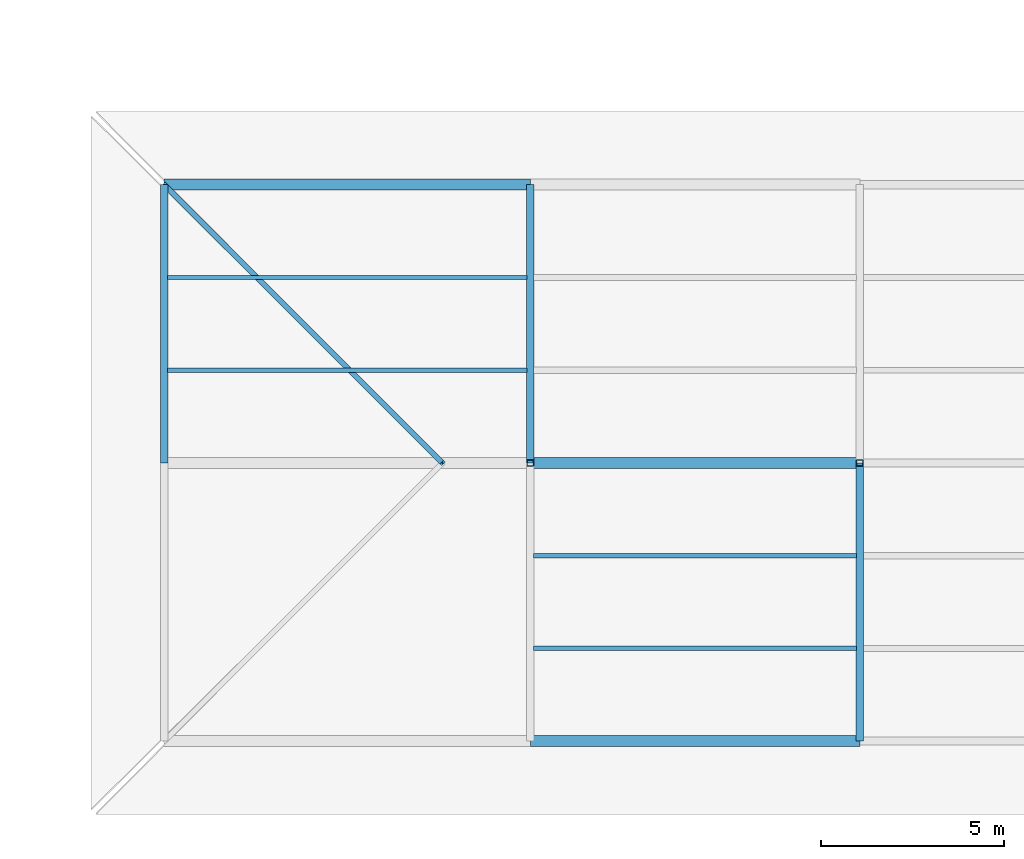
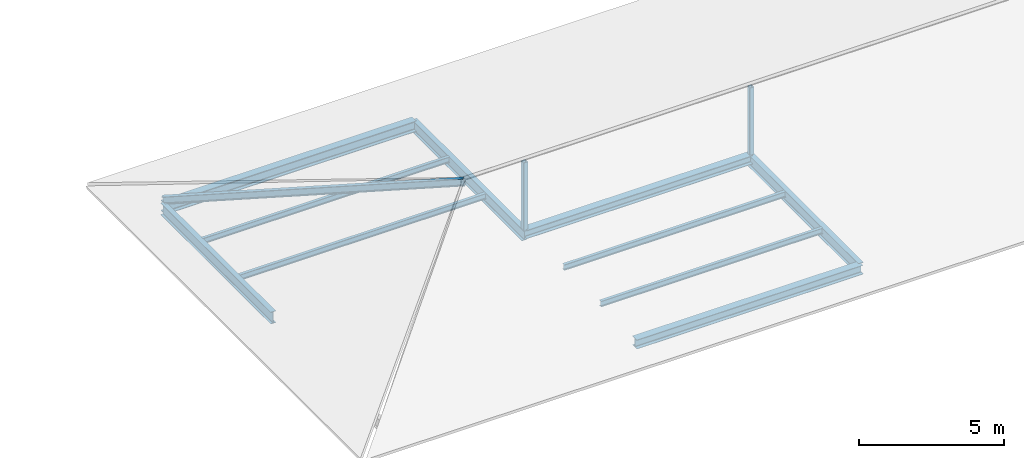
# One storey, part 54 of 120: 10 beams, 3 members.
"""IFC4 building model written with IfcOpenShell, lengths in metres."""

from ifc_helpers import new_model, si_unit, direction, frame, origin, origin_2d, place, context, subcontext, project, spatial, hollow_rectangle, i_section, extrude, material, material_profile, profile_set, type_object, element, save


model = new_model("IFC4")

# Units and contexts
model_context = context("Model", 3, precision=1e-05, world=origin(), true_north=direction((0.0, 1.0)))
body_context = subcontext(model_context, "Body", "Model", "MODEL_VIEW")
ifc_project = project(units=[si_unit("LENGTHUNIT", "METRE"), si_unit("AREAUNIT", "SQUARE_METRE"), si_unit("VOLUMEUNIT", "CUBIC_METRE"), si_unit("PLANEANGLEUNIT", "RADIAN"), si_unit("MASSUNIT", "GRAM", prefix="KILO")], contexts=[model_context])

# Site, building, storey
site_placement = place(None, origin())
site = spatial("IfcSite", under=ifc_project, at=site_placement, CompositionType="ELEMENT")
building_placement = place(site_placement, origin())
building = spatial("IfcBuilding", under=site, at=building_placement, Name="Vekula Escarpment Museum", CompositionType="ELEMENT")
storey_placement = place(building_placement, frame((0.0, 0.0, 13.199951171875)))
storey = spatial("IfcBuildingStorey", under=building, at=storey_placement, Name="L03", CompositionType="ELEMENT", Elevation=13.199951171875)

# Beams
ifc_material_1 = material(Name="Steel S355", Category="steel")
ifc_material_profile_1 = material_profile(ifc_material_1, i_section(OverallWidth=0.300048828125, OverallDepth=0.360107421875, WebThickness=0.012451171875, FlangeThickness=0.0224609375, FilletRadius=0.027099609375, at=origin_2d()), Name="HEB 360")
ifc_profile_set_1 = profile_set([ifc_material_profile_1], Name="Steel S355")
beam_type_1 = type_object("IfcBeamType", Name="BM-GIRD-HEB360", PredefinedType="BEAM", material=ifc_profile_set_1)
beam_1_placement = place(storey_placement, frame((146.0, 7.60009765625, -0.429931640625), z_axis=(1.0, 0.0, 0.0), x_axis=(0.0, 1.0, 0.0)))
element("IfcBeam", 1, at=beam_1_placement, inside=storey, type_object=beam_type_1, Name="Beam X L03 1289", PredefinedType="BEAM", context=body_context, shape_type="SweptSolid", body=[
    extrude(i_section(OverallWidth=0.300048828125, OverallDepth=0.360107421875, WebThickness=0.012451171875, FlangeThickness=0.0224609375, FilletRadius=0.027099609375, at=origin_2d()), origin(), (0.0, 0.0, 1.0), 9.0),
])
ifc_material_2 = material(Name="Steel S355", Category="steel")
ifc_material_profile_2 = material_profile(ifc_material_2, i_section(OverallWidth=0.300048828125, OverallDepth=0.449951171875, WebThickness=0.013916015625, FlangeThickness=0.02587890625, FilletRadius=0.027099609375, at=origin_2d()), Name="HEB 450")
ifc_profile_set_2 = profile_set([ifc_material_profile_2], Name="Steel S355")
beam_type_2 = type_object("IfcBeamType", Name="BM-GIRD-HEB450", PredefinedType="BEAM", material=ifc_profile_set_2)
beam_2_placement = place(storey_placement, frame((136.0, 15.199951171875, -0.474853515625), z_axis=(1.0, 0.0, 0.0), x_axis=(0.0, 1.0, 0.0)))
element("IfcBeam", 2, at=beam_2_placement, inside=storey, type_object=beam_type_2, Name="Beam X L03 1301", PredefinedType="BEAM", context=body_context, shape_type="SweptSolid", body=[
    extrude(i_section(OverallWidth=0.300048828125, OverallDepth=0.449951171875, WebThickness=0.013916015625, FlangeThickness=0.02587890625, FilletRadius=0.027099609375, at=origin_2d()), origin(), (0.0, 0.0, 1.0), 10.0),
])
ifc_material_3 = material(Name="Steel S355", Category="steel")
ifc_material_profile_3 = material_profile(ifc_material_3, i_section(OverallWidth=0.199951171875, OverallDepth=0.5, WebThickness=0.01025390625, FlangeThickness=0.01611328125, FilletRadius=0.02099609375, at=origin_2d()), Name="IPE 500")
ifc_profile_set_3 = profile_set([ifc_material_profile_3], Name="Steel S355")
beam_type_3 = type_object("IfcBeamType", Name="BM-GIRD-IPE500", PredefinedType="BEAM", material=ifc_profile_set_3)
for number, where, z_axis, x_axis, name in (
    (3, (136.0, 7.60009765625, -0.5), (0.0, 1.0, 0.0), (-1.0, 0.0, 0.0), "Beam Y L03 1632"),
    (4, (146.0, 7.60009765625, -0.5), (0.0, 1.0, 0.0), (-1.0, 0.0, 0.0), "Beam Y L03 1635"),
):
    element("IfcBeam", number, at=place(storey_placement, frame(where, z_axis=z_axis, x_axis=x_axis)), inside=storey, type_object=beam_type_3, Name=name, PredefinedType="BEAM", context=body_context, shape_type="SweptSolid", body=[
        extrude(i_section(OverallWidth=0.199951171875, OverallDepth=0.5, WebThickness=0.01025390625, FlangeThickness=0.01611328125, FilletRadius=0.02099609375, at=origin_2d()), origin(), (0.0, 0.0, 1.0), 7.599853515625),
    ])
beam_3_placement = place(storey_placement, frame((155.0, 0.0, -0.5), z_axis=(0.0, 1.0, 0.0), x_axis=(-1.0, 0.0, 0.0)))
element("IfcBeam", 5, at=beam_3_placement, inside=storey, type_object=beam_type_3, Name="Beam Y L03 1637", PredefinedType="BEAM", context=body_context, shape_type="SweptSolid", body=[
    extrude(i_section(OverallWidth=0.199951171875, OverallDepth=0.5, WebThickness=0.01025390625, FlangeThickness=0.01611328125, FilletRadius=0.02099609375, at=origin_2d()), origin(), (0.0, 0.0, 1.0), 7.60009765625),
])
ifc_material_4 = material(Name="Steel S355", Category="steel")
ifc_material_profile_4 = material_profile(ifc_material_4, i_section(OverallWidth=0.1201171875, OverallDepth=0.239990234375, WebThickness=0.006103515625, FlangeThickness=0.009765625, FilletRadius=0.014892578125, at=origin_2d()), Name="IPE 240")
ifc_profile_set_4 = profile_set([ifc_material_profile_4], Name="Steel S355")
beam_type_4 = type_object("IfcBeamType", Name="BM-JST-IPE240", PredefinedType="JOIST", material=ifc_profile_set_4)
for number, where, z_axis, x_axis, name in (
    (6, (136.090087890625, 10.13330078125, -0.369873046875), (1.0, 0.0, 0.0), (0.0, 1.0, 0.0), "Secondary Joist L03 1076"),
    (7, (136.090087890625, 12.666748046875, -0.369873046875), (1.0, 0.0, 0.0), (0.0, 1.0, 0.0), "Secondary Joist L03 1077"),
):
    element("IfcBeam", number, at=place(storey_placement, frame(where, z_axis=z_axis, x_axis=x_axis)), inside=storey, type_object=beam_type_4, Name=name, PredefinedType="JOIST", context=body_context, shape_type="SweptSolid", body=[
        extrude(i_section(OverallWidth=0.1201171875, OverallDepth=0.239990234375, WebThickness=0.006103515625, FlangeThickness=0.009765625, FilletRadius=0.014892578125, at=origin_2d()), origin(), (0.0, 0.0, 1.0), 9.81982421875),
    ])
for number, where, z_axis, x_axis, name in (
    (8, (146.090087890625, 2.533203125, -0.369873046875), (1.0, 0.0, 0.0), (0.0, 1.0, 0.0), "Secondary Joist L03 1080"),
    (9, (146.090087890625, 5.066650390625, -0.369873046875), (1.0, 0.0, 0.0), (0.0, 1.0, 0.0), "Secondary Joist L03 1081"),
):
    element("IfcBeam", number, at=place(storey_placement, frame(where, z_axis=z_axis, x_axis=x_axis)), inside=storey, type_object=beam_type_4, Name=name, PredefinedType="JOIST", context=body_context, shape_type="SweptSolid", body=[
        extrude(i_section(OverallWidth=0.1201171875, OverallDepth=0.239990234375, WebThickness=0.006103515625, FlangeThickness=0.009765625, FilletRadius=0.014892578125, at=origin_2d()), origin(), (0.0, 0.0, 1.0), 8.81982421875),
    ])
ifc_material_5 = material(Name="Steel S355", Category="steel")
ifc_material_profile_5 = material_profile(ifc_material_5, i_section(OverallWidth=0.300048828125, OverallDepth=0.389892578125, WebThickness=0.010986328125, FlangeThickness=0.01904296875, FilletRadius=0.027099609375, at=origin_2d()), Name="HEA 400")
ifc_profile_set_5 = profile_set([ifc_material_profile_5], Name="Steel S355")
beam_type_5 = type_object("IfcBeamType", Name="BM-SPAN-HEA400", PredefinedType="SPANDREL", material=ifc_profile_set_5)
beam_4_placement = place(storey_placement, frame((146.0, 0.0, -0.445068359375), z_axis=(1.0, 0.0, 0.0), x_axis=(0.0, 1.0, 0.0)))
element("IfcBeam", 10, at=beam_4_placement, inside=storey, type_object=beam_type_5, Name="Beam X L03 1277", PredefinedType="SPANDREL", context=body_context, shape_type="SweptSolid", body=[
    extrude(i_section(OverallWidth=0.300048828125, OverallDepth=0.389892578125, WebThickness=0.010986328125, FlangeThickness=0.01904296875, FilletRadius=0.027099609375, at=origin_2d()), origin(), (0.0, 0.0, 1.0), 9.0),
])

# Members
ifc_material_6 = material(Name="Steel S355", Category="steel")
ifc_material_profile_6 = material_profile(ifc_material_6, i_section(OverallWidth=0.14990234375, OverallDepth=0.300048828125, WebThickness=0.007080078125, FlangeThickness=0.0107421875, FilletRadius=0.014892578125, at=origin_2d()), Name="IPE 300")
ifc_profile_set_6 = profile_set([ifc_material_profile_6], Name="Steel S355")
member_type_1 = type_object("IfcMemberType", Name="MB-HIP-RAFTER", PredefinedType="CHORD", material=ifc_profile_set_6)
member_placement = place(storey_placement, frame((136.0, 15.199951171875, -0.14990234375), z_axis=(0.685659277486, -0.685637251811, 0.244484997754), x_axis=(0.707095423592, 0.707118138598, 0.0)))
element("IfcMember", 11, at=member_placement, inside=storey, type_object=member_type_1, Name="Entry Pavilion Hip Rafter 3", PredefinedType="CHORD", context=body_context, shape_type="SweptSolid", body=[
    extrude(i_section(OverallWidth=0.14990234375, OverallDepth=0.300048828125, WebThickness=0.007080078125, FlangeThickness=0.0107421875, FilletRadius=0.014892578125, at=origin_2d()), origin(), (0.0, 0.0, 1.0), 11.08447265625),
])
ifc_material_7 = material(Name="Steel S355", Category="steel")
ifc_material_profile_7 = material_profile(ifc_material_7, hollow_rectangle(XDim=0.179931640625, YDim=0.179931640625, WallThickness=0.010009765625, InnerFilletRadius=0.010009765625, OuterFilletRadius=0.02001953125, at=origin_2d()), Name="SHS 180x180x10")
ifc_profile_set_7 = profile_set([ifc_material_profile_7], Name="Steel S355")
member_type_2 = type_object("IfcMemberType", Name="MB-POST-SHS180", PredefinedType="STRUT", material=ifc_profile_set_7)
for number, where, z_axis, x_axis, name in (
    (12, (146.0, 7.60009765625, -0.300048828125), (0.0, 0.0, 1.0), (1.0, 0.0, 0.0), "Entry Pavilion Roof King Post 146"),
    (13, (155.0, 7.60009765625, -0.300048828125), (0.0, 0.0, 1.0), (1.0, 0.0, 0.0), "Entry Pavilion Roof King Post 155"),
):
    element("IfcMember", number, at=place(storey_placement, frame(where, z_axis=z_axis, x_axis=x_axis)), inside=storey, type_object=member_type_2, Name=name, PredefinedType="STRUT", context=body_context, shape_type="SweptSolid", body=[
        extrude(hollow_rectangle(XDim=0.179931640625, YDim=0.179931640625, WallThickness=0.010009765625, InnerFilletRadius=0.010009765625, OuterFilletRadius=0.02001953125, at=origin_2d()), origin(), (0.0, 0.0, 1.0), 2.880126953125),
    ])

save(model, "model.ifc")
